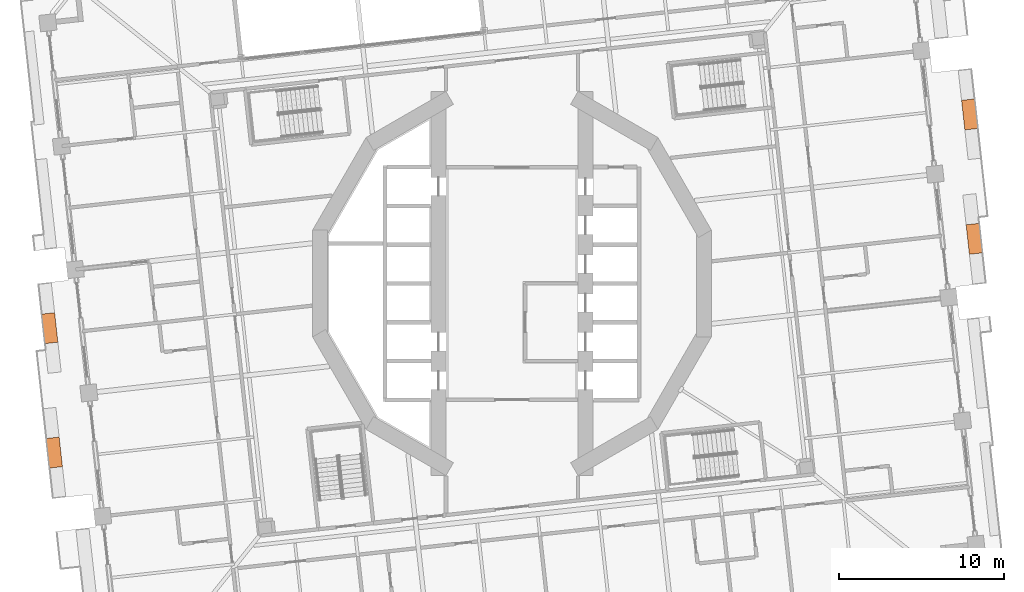
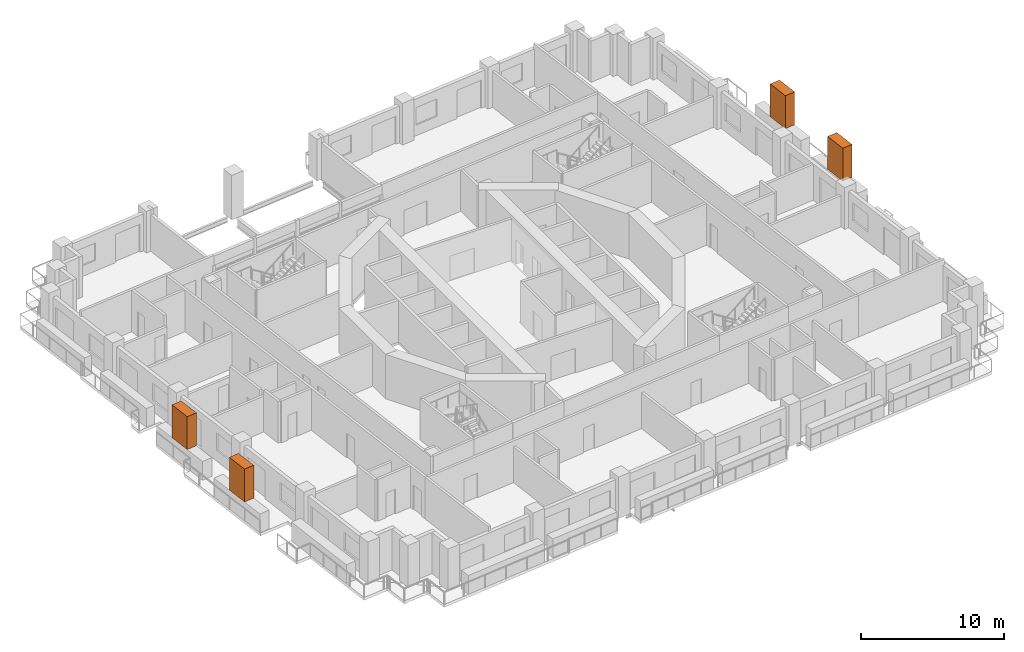
# One storey, part 21 of 21: 4 proxies.
"""IFC4 building model written with IfcOpenShell, lengths in metres."""

from ifc_helpers import new_model, si_unit, direction, frame, origin, origin_2d, place, context, subcontext, project, spatial, rectangle, extrude, element, save


model = new_model("IFC4")

# Units and contexts
model_context = context("Model", 3, precision=1e-05, world=origin(), true_north=direction((0.0, 1.0)))
body_context = subcontext(model_context, "Body", "Model", "MODEL_VIEW")
ifc_project = project(units=[si_unit("LENGTHUNIT", "METRE"), si_unit("AREAUNIT", "SQUARE_METRE"), si_unit("VOLUMEUNIT", "CUBIC_METRE"), si_unit("PLANEANGLEUNIT", "RADIAN"), si_unit("MASSUNIT", "GRAM", prefix="KILO")], contexts=[model_context])

# Site, building, storey
site_placement = place(None, origin())
site = spatial("IfcSite", under=ifc_project, at=site_placement, CompositionType="ELEMENT")
building_placement = place(site_placement, origin())
building = spatial("IfcBuilding", under=site, at=building_placement, Name="Cantera Rosa Tower", CompositionType="ELEMENT")
storey_placement = place(building_placement, frame((0.0, 0.0, 61.5)))
storey = spatial("IfcBuildingStorey", under=building, at=storey_placement, Name="L12", CompositionType="ELEMENT", Elevation=61.5)

# Proxies
for number, where, z_axis, x_axis, name in (
    (1, (28.00341796875, 2.70556640625, 1.60009765625), (0.0, 0.0, 1.0), (-0.110312555526, 0.993896946415, 0.0), "TREE L12-03"),
    (2, (27.72705078125, 10.2412109375, 1.60009765625), (0.0, 0.0, 1.0), (-0.110312555526, 0.993896946415, 0.0), "TREE L12-04"),
    (3, (-28.00341796875, -2.70556640625, 1.60009765625), (0.0, 0.0, 1.0), (0.110312555526, -0.993896946415, 0.0), "TREE L12-14"),
    (4, (-27.72705078125, -10.2412109375, 1.60009765625), (0.0, 0.0, 1.0), (0.110312555526, -0.993896946415, 0.0), "TREE L12-15"),
):
    element("IfcBuildingElementProxy", number, at=place(storey_placement, frame(where, z_axis=z_axis, x_axis=x_axis)), inside=storey, Name=name, ObjectType="TREE", PredefinedType="USERDEFINED", context=body_context, shape_type="SweptSolid", body=[
        extrude(rectangle(XDim=1.800048828125, YDim=0.800048828125, at=origin_2d()), origin(), (0.0, 0.0, 1.0), 2.800048828125),
    ])

save(model, "model.ifc")
